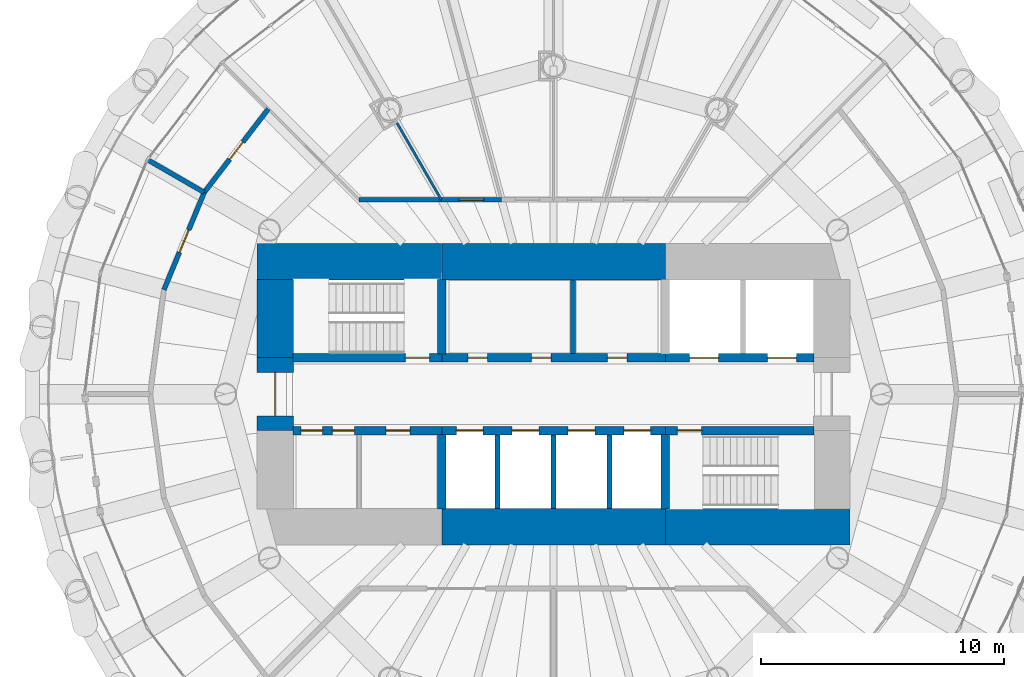
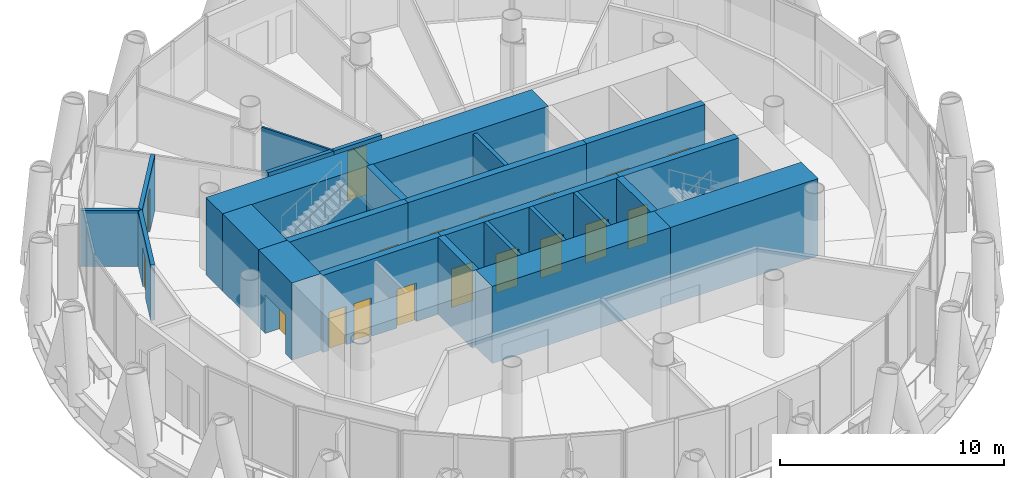
# One storey, part 10 of 15: 25 walls, 18 doors, 18 openings.
"""IFC4 building model written with IfcOpenShell, lengths in metres."""

from ifc_helpers import new_model, si_unit, direction, frame, frame_2d, origin, place, context, subcontext, project, spatial, rectangle, extrude, material, layer, layer_set, type_object, element, fill, save


model = new_model("IFC4")

# Units and contexts
model_context = context("Model", 3, precision=1e-05, world=origin(), true_north=direction((0.0, 1.0)))
body_context = subcontext(model_context, "Body", "Model", "MODEL_VIEW")
ifc_project = project(units=[si_unit("LENGTHUNIT", "METRE"), si_unit("AREAUNIT", "SQUARE_METRE"), si_unit("VOLUMEUNIT", "CUBIC_METRE"), si_unit("PLANEANGLEUNIT", "RADIAN"), si_unit("MASSUNIT", "GRAM", prefix="KILO")], contexts=[model_context])

# Site, building, storey
site_placement = place(None, origin())
site = spatial("IfcSite", under=ifc_project, at=site_placement, CompositionType="ELEMENT")
building_placement = place(site_placement, origin())
building = spatial("IfcBuilding", under=site, at=building_placement, Name="Qaws Media Tower", CompositionType="ELEMENT")
storey_placement = place(building_placement, frame((0.0, 0.0, 265.39990234375)))
storey = spatial("IfcBuildingStorey", under=building, at=storey_placement, Name="L61", CompositionType="ELEMENT", Elevation=265.39990234375)

# Wall, opening, door
ifc_material_1 = material(Name="Concrete C60/75", Category="concrete")
ifc_layer_1 = layer(ifc_material_1, 0.35009765625)
ifc_layer_set_1 = layer_set([ifc_layer_1], Name="Core inner wall 350")
wall_type_1 = type_object("IfcWallType", Name="Core inner wall 350", PredefinedType="SHEAR", material=ifc_layer_set_1)
wall_1_placement = place(storey_placement, frame((49.280029296875, 51.5, 0.0), z_axis=(0.0, 0.0, 1.0), x_axis=(1.0, 0.0, 0.0)))
wall_1 = element("IfcWall", 1, at=wall_1_placement, inside=storey, type_object=wall_type_1, Name="W301 SW5 core wall SPNW L61", PredefinedType="SHEAR", context=body_context, shape_type="SweptSolid", body=[
    extrude(rectangle(XDim=6.119873046875, YDim=0.35009765625, at=frame_2d((3.06005859375, 0.0))), origin(), (0.0, 0.0, 1.0), 4.2001953125),
])
opening_1_placement = place(wall_1_placement, frame((4.6201171875, 0.0, 0.0)))
opening_1 = element("IfcOpeningElement", 2, at=opening_1_placement, cuts=wall_1, Name="Opening D1", PredefinedType="OPENING", context=body_context, shape_type="SweptSolid", body=[
    extrude(rectangle(XDim=1.0, YDim=2.10009765625, at=frame_2d((0.5, 1.050048828125))), frame((0.0, 0.18505859375, 0.0), z_axis=(0.0, -1.0, 0.0), x_axis=(1.0, 0.0, 0.0)), (0.0, 0.0, 1.0), 0.3701171875),
])
ifc_material_2 = material(Name="Steel, fire rated", Category="steel")
door_type_1 = type_object("IfcDoorType", Name="Stair door 1000 FD120", OperationType="SINGLE_SWING_LEFT", PredefinedType="DOOR", material=ifc_material_2)
door_1_placement = place(opening_1_placement, origin())
door_1 = element("IfcDoor", 3, at=door_1_placement, inside=storey, type_object=door_type_1, Name="D1 stair S1 door L61 in wall W301", OperationType="SINGLE_SWING_LEFT", OverallHeight=2.10009765625, OverallWidth=1.0, PredefinedType="DOOR", context=body_context, shape_type="SweptSolid", body=[
    extrude(rectangle(XDim=1.0, YDim=2.10009765625, at=frame_2d((0.5, 1.050048828125))), frame((0.0, 0.02490234375, 0.0), z_axis=(0.0, -1.0, 0.0), x_axis=(1.0, 0.0, 0.0)), (0.0, 0.0, 1.0), 0.050048828125),
])
fill(opening_1, door_1)

# Wall, openings, doors
wall_2_placement = place(storey_placement, frame((55.39990234375, 51.5, 0.0), z_axis=(0.0, 0.0, 1.0), x_axis=(1.0, 0.0, 0.0)))
wall_2 = element("IfcWall", 4, at=wall_2_placement, inside=storey, type_object=wall_type_1, Name="W304 SW5 core wall SPN L61", PredefinedType="SHEAR", context=body_context, shape_type="SweptSolid", body=[
    extrude(rectangle(XDim=9.2001953125, YDim=0.35009765625, at=frame_2d((4.60009765625, 0.0))), origin(), (0.0, 0.0, 1.0), 4.2001953125),
])
opening_2_placement = place(wall_2_placement, frame((1.08251953125, 0.0, 0.0)))
opening_2 = element("IfcOpeningElement", 5, at=opening_2_placement, cuts=wall_2, Name="Opening D23", PredefinedType="OPENING", context=body_context, shape_type="SweptSolid", body=[
    extrude(rectangle(XDim=0.800048828125, YDim=2.10009765625, at=frame_2d((0.39990234375, 1.050048828125))), frame((0.0, 0.18505859375, 0.0), z_axis=(0.0, -1.0, 0.0), x_axis=(1.0, 0.0, 0.0)), (0.0, 0.0, 1.0), 0.3701171875),
])
opening_3_placement = place(wall_2_placement, frame((3.697265625, 0.0, 0.0)))
opening_3 = element("IfcOpeningElement", 6, at=opening_3_placement, cuts=wall_2, Name="Opening D23", PredefinedType="OPENING", context=body_context, shape_type="SweptSolid", body=[
    extrude(rectangle(XDim=0.800048828125, YDim=2.10009765625, at=frame_2d((0.39990234375, 1.050048828125))), frame((0.0, 0.18505859375, 0.0), z_axis=(0.0, -1.0, 0.0), x_axis=(1.0, 0.0, 0.0)), (0.0, 0.0, 1.0), 0.3701171875),
])
opening_4_placement = place(wall_2_placement, frame((6.814697265625, 0.0, 0.0)))
opening_4 = element("IfcOpeningElement", 7, at=opening_4_placement, cuts=wall_2, Name="Opening D23", PredefinedType="OPENING", context=body_context, shape_type="SweptSolid", body=[
    extrude(rectangle(XDim=0.800048828125, YDim=2.10009765625, at=frame_2d((0.39990234375, 1.050048828125))), frame((0.0, 0.18505859375, 0.0), z_axis=(0.0, -1.0, 0.0), x_axis=(1.0, 0.0, 0.0)), (0.0, 0.0, 1.0), 0.3701171875),
])
ifc_material_3 = material(Name="Steel, fire rated", Category="steel")
door_type_2 = type_object("IfcDoorType", Name="Core room door 800x2100", OperationType="SINGLE_SWING_LEFT", PredefinedType="DOOR", material=ifc_material_3)
door_2_placement = place(opening_2_placement, origin())
door_2 = element("IfcDoor", 8, at=door_2_placement, inside=storey, type_object=door_type_2, Name="D23 Gents toilets door L61 1 in wall W304", OperationType="SINGLE_SWING_LEFT", OverallHeight=2.10009765625, OverallWidth=0.800048828125, PredefinedType="DOOR", context=body_context, shape_type="SweptSolid", body=[
    extrude(rectangle(XDim=0.800048828125, YDim=2.10009765625, at=frame_2d((0.39990234375, 1.050048828125))), frame((0.0, 0.02490234375, 0.0), z_axis=(0.0, -1.0, 0.0), x_axis=(1.0, 0.0, 0.0)), (0.0, 0.0, 1.0), 0.050048828125),
])
fill(opening_2, door_2)
door_3_placement = place(opening_3_placement, origin())
door_3 = element("IfcDoor", 9, at=door_3_placement, inside=storey, type_object=door_type_2, Name="D23 Gents toilets door L61 2 in wall W304", OperationType="SINGLE_SWING_LEFT", OverallHeight=2.10009765625, OverallWidth=0.800048828125, PredefinedType="DOOR", context=body_context, shape_type="SweptSolid", body=[
    extrude(rectangle(XDim=0.800048828125, YDim=2.10009765625, at=frame_2d((0.39990234375, 1.050048828125))), frame((0.0, 0.02490234375, 0.0), z_axis=(0.0, -1.0, 0.0), x_axis=(1.0, 0.0, 0.0)), (0.0, 0.0, 1.0), 0.050048828125),
])
fill(opening_3, door_3)
door_4_placement = place(opening_4_placement, origin())
door_4 = element("IfcDoor", 10, at=door_4_placement, inside=storey, type_object=door_type_2, Name="D23 Ladies toilets door L61 in wall W304", OperationType="SINGLE_SWING_LEFT", OverallHeight=2.10009765625, OverallWidth=0.800048828125, PredefinedType="DOOR", context=body_context, shape_type="SweptSolid", body=[
    extrude(rectangle(XDim=0.800048828125, YDim=2.10009765625, at=frame_2d((0.39990234375, 1.050048828125))), frame((0.0, 0.02490234375, 0.0), z_axis=(0.0, -1.0, 0.0), x_axis=(1.0, 0.0, 0.0)), (0.0, 0.0, 1.0), 0.050048828125),
])
fill(opening_4, door_4)

wall_3_placement = place(storey_placement, frame((64.60009765625, 51.5, 0.0), z_axis=(0.0, 0.0, 1.0), x_axis=(1.0, 0.0, 0.0)))
wall_3 = element("IfcWall", 11, at=wall_3_placement, inside=storey, type_object=wall_type_1, Name="W308 SW5 core wall SPNE L61", PredefinedType="SHEAR", context=body_context, shape_type="SweptSolid", body=[
    extrude(rectangle(XDim=6.119873046875, YDim=0.35009765625, at=frame_2d((3.06005859375, 0.0))), origin(), (0.0, 0.0, 1.0), 4.2001953125),
])
opening_5_placement = place(wall_3_placement, frame((1.0, 0.0, 0.0)))
opening_5 = element("IfcOpeningElement", 12, at=opening_5_placement, cuts=wall_3, Name="Opening LD2", PredefinedType="OPENING", context=body_context, shape_type="SweptSolid", body=[
    extrude(rectangle(XDim=1.199951171875, YDim=2.10009765625, at=frame_2d((0.60009765625, 1.050048828125))), frame((0.0, 0.18505859375, 0.0), z_axis=(0.0, -1.0, 0.0), x_axis=(1.0, 0.0, 0.0)), (0.0, 0.0, 1.0), 0.3701171875),
])
opening_6_placement = place(wall_3_placement, frame((4.199951171875, 0.0, 0.0)))
opening_6 = element("IfcOpeningElement", 13, at=opening_6_placement, cuts=wall_3, Name="Opening LD2", PredefinedType="OPENING", context=body_context, shape_type="SweptSolid", body=[
    extrude(rectangle(XDim=1.199951171875, YDim=2.10009765625, at=frame_2d((0.60009765625, 1.050048828125))), frame((0.0, 0.18505859375, 0.0), z_axis=(0.0, -1.0, 0.0), x_axis=(1.0, 0.0, 0.0)), (0.0, 0.0, 1.0), 0.3701171875),
])
ifc_material_4 = material(Name="Steel, fire rated", Category="steel")
door_type_3 = type_object("IfcDoorType", Name="Lift landing door 1200", OperationType="SLIDING_TO_LEFT", PredefinedType="DOOR", material=ifc_material_4)
door_5_placement = place(opening_5_placement, origin())
door_5 = element("IfcDoor", 14, at=door_5_placement, inside=storey, type_object=door_type_3, Name="FL1 landing door L61 in wall W308", OperationType="SLIDING_TO_LEFT", OverallHeight=2.10009765625, OverallWidth=1.199951171875, PredefinedType="DOOR", context=body_context, shape_type="SweptSolid", body=[
    extrude(rectangle(XDim=1.199951171875, YDim=2.10009765625, at=frame_2d((0.60009765625, 1.050048828125))), frame((0.0, 0.02490234375, 0.0), z_axis=(0.0, -1.0, 0.0), x_axis=(1.0, 0.0, 0.0)), (0.0, 0.0, 1.0), 0.050048828125),
])
fill(opening_5, door_5)
door_6_placement = place(opening_6_placement, origin())
door_6 = element("IfcDoor", 15, at=door_6_placement, inside=storey, type_object=door_type_3, Name="FL2 landing door L61 in wall W308", OperationType="SLIDING_TO_LEFT", OverallHeight=2.10009765625, OverallWidth=1.199951171875, PredefinedType="DOOR", context=body_context, shape_type="SweptSolid", body=[
    extrude(rectangle(XDim=1.199951171875, YDim=2.10009765625, at=frame_2d((0.60009765625, 1.050048828125))), frame((0.0, 0.02490234375, 0.0), z_axis=(0.0, -1.0, 0.0), x_axis=(1.0, 0.0, 0.0)), (0.0, 0.0, 1.0), 0.050048828125),
])
fill(opening_6, door_6)

wall_4_placement = place(storey_placement, frame((49.280029296875, 48.5, 0.0), z_axis=(0.0, 0.0, 1.0), x_axis=(1.0, 0.0, 0.0)))
wall_4 = element("IfcWall", 16, at=wall_4_placement, inside=storey, type_object=wall_type_1, Name="W300 SW5 core wall SPSW L61", PredefinedType="SHEAR", context=body_context, shape_type="SweptSolid", body=[
    extrude(rectangle(XDim=6.119873046875, YDim=0.35009765625, at=frame_2d((3.06005859375, 0.0))), origin(), (0.0, 0.0, 1.0), 4.2001953125),
])
opening_7_placement = place(wall_4_placement, frame((0.320068359375, 0.0, 0.0)))
opening_7 = element("IfcOpeningElement", 17, at=opening_7_placement, cuts=wall_4, Name="Opening D3", PredefinedType="OPENING", context=body_context, shape_type="SweptSolid", body=[
    extrude(rectangle(XDim=0.89990234375, YDim=2.10009765625, at=frame_2d((0.449951171875, 1.050048828125))), frame((0.0, 0.18505859375, 0.0), z_axis=(0.0, -1.0, 0.0), x_axis=(1.0, 0.0, 0.0)), (0.0, 0.0, 1.0), 0.3701171875),
])
opening_8_placement = place(wall_4_placement, frame((1.6201171875, 0.0, 0.0)))
opening_8 = element("IfcOpeningElement", 18, at=opening_8_placement, cuts=wall_4, Name="Opening D3", PredefinedType="OPENING", context=body_context, shape_type="SweptSolid", body=[
    extrude(rectangle(XDim=0.89990234375, YDim=2.10009765625, at=frame_2d((0.449951171875, 1.050048828125))), frame((0.0, 0.18505859375, 0.0), z_axis=(0.0, -1.0, 0.0), x_axis=(1.0, 0.0, 0.0)), (0.0, 0.0, 1.0), 0.3701171875),
])
opening_9_placement = place(wall_4_placement, frame((3.820068359375, 0.0, 0.0)))
opening_9 = element("IfcOpeningElement", 19, at=opening_9_placement, cuts=wall_4, Name="Opening D4", PredefinedType="OPENING", context=body_context, shape_type="SweptSolid", body=[
    extrude(rectangle(XDim=1.0, YDim=2.10009765625, at=frame_2d((0.5, 1.050048828125))), frame((0.0, 0.18505859375, 0.0), z_axis=(0.0, -1.0, 0.0), x_axis=(1.0, 0.0, 0.0)), (0.0, 0.0, 1.0), 0.3701171875),
])
ifc_material_5 = material(Name="Timber veneered", Category="wood")
door_type_4 = type_object("IfcDoorType", Name="Accessible WC door 1000", OperationType="SLIDING_TO_LEFT", PredefinedType="DOOR", material=ifc_material_5)
door_7_placement = place(opening_9_placement, origin())
door_7 = element("IfcDoor", 20, at=door_7_placement, inside=storey, type_object=door_type_4, Name="D4 toilet door 3 L61 in wall W300", OperationType="SLIDING_TO_LEFT", OverallHeight=2.10009765625, OverallWidth=1.0, PredefinedType="DOOR", context=body_context, shape_type="SweptSolid", body=[
    extrude(rectangle(XDim=1.0, YDim=2.10009765625, at=frame_2d((0.5, 1.050048828125))), frame((0.0, 0.02490234375, 0.0), z_axis=(0.0, -1.0, 0.0), x_axis=(1.0, 0.0, 0.0)), (0.0, 0.0, 1.0), 0.050048828125),
])
fill(opening_9, door_7)
ifc_material_6 = material(Name="Timber veneered", Category="wood")
door_type_5 = type_object("IfcDoorType", Name="Toilet door 900", OperationType="SINGLE_SWING_RIGHT", PredefinedType="DOOR", material=ifc_material_6)
door_8_placement = place(opening_7_placement, origin())
door_8 = element("IfcDoor", 21, at=door_8_placement, inside=storey, type_object=door_type_5, Name="D3 toilet door 1 L61 in wall W300", OperationType="SINGLE_SWING_RIGHT", OverallHeight=2.10009765625, OverallWidth=0.89990234375, PredefinedType="DOOR", context=body_context, shape_type="SweptSolid", body=[
    extrude(rectangle(XDim=0.89990234375, YDim=2.10009765625, at=frame_2d((0.449951171875, 1.050048828125))), frame((0.0, 0.02490234375, 0.0), z_axis=(0.0, -1.0, 0.0), x_axis=(1.0, 0.0, 0.0)), (0.0, 0.0, 1.0), 0.050048828125),
])
fill(opening_7, door_8)
door_9_placement = place(opening_8_placement, origin())
door_9 = element("IfcDoor", 22, at=door_9_placement, inside=storey, type_object=door_type_5, Name="D3 toilet door 2 L61 in wall W300", OperationType="SINGLE_SWING_RIGHT", OverallHeight=2.10009765625, OverallWidth=0.89990234375, PredefinedType="DOOR", context=body_context, shape_type="SweptSolid", body=[
    extrude(rectangle(XDim=0.89990234375, YDim=2.10009765625, at=frame_2d((0.449951171875, 1.050048828125))), frame((0.0, 0.02490234375, 0.0), z_axis=(0.0, -1.0, 0.0), x_axis=(1.0, 0.0, 0.0)), (0.0, 0.0, 1.0), 0.050048828125),
])
fill(opening_8, door_9)

wall_5_placement = place(storey_placement, frame((55.39990234375, 48.5, 0.0), z_axis=(0.0, 0.0, 1.0), x_axis=(1.0, 0.0, 0.0)))
wall_5 = element("IfcWall", 23, at=wall_5_placement, inside=storey, type_object=wall_type_1, Name="W303 SW5 core wall SPS L61", PredefinedType="SHEAR", context=body_context, shape_type="SweptSolid", body=[
    extrude(rectangle(XDim=9.2001953125, YDim=0.35009765625, at=frame_2d((4.60009765625, 0.0))), origin(), (0.0, 0.0, 1.0), 4.2001953125),
])
opening_10_placement = place(wall_5_placement, frame((0.60009765625, 0.0, 0.0)))
opening_10 = element("IfcOpeningElement", 24, at=opening_10_placement, cuts=wall_5, Name="Opening LD", PredefinedType="OPENING", context=body_context, shape_type="SweptSolid", body=[
    extrude(rectangle(XDim=1.10009765625, YDim=2.10009765625, at=frame_2d((0.550048828125, 1.050048828125))), frame((0.0, 0.18505859375, 0.0), z_axis=(0.0, -1.0, 0.0), x_axis=(1.0, 0.0, 0.0)), (0.0, 0.0, 1.0), 0.3701171875),
])
opening_11_placement = place(wall_5_placement, frame((2.89990234375, 0.0, 0.0)))
opening_11 = element("IfcOpeningElement", 25, at=opening_11_placement, cuts=wall_5, Name="Opening LD", PredefinedType="OPENING", context=body_context, shape_type="SweptSolid", body=[
    extrude(rectangle(XDim=1.10009765625, YDim=2.10009765625, at=frame_2d((0.550048828125, 1.050048828125))), frame((0.0, 0.18505859375, 0.0), z_axis=(0.0, -1.0, 0.0), x_axis=(1.0, 0.0, 0.0)), (0.0, 0.0, 1.0), 0.3701171875),
])
opening_12_placement = place(wall_5_placement, frame((5.199951171875, 0.0, 0.0)))
opening_12 = element("IfcOpeningElement", 26, at=opening_12_placement, cuts=wall_5, Name="Opening LD", PredefinedType="OPENING", context=body_context, shape_type="SweptSolid", body=[
    extrude(rectangle(XDim=1.10009765625, YDim=2.10009765625, at=frame_2d((0.550048828125, 1.050048828125))), frame((0.0, 0.18505859375, 0.0), z_axis=(0.0, -1.0, 0.0), x_axis=(1.0, 0.0, 0.0)), (0.0, 0.0, 1.0), 0.3701171875),
])
opening_13_placement = place(wall_5_placement, frame((7.5, 0.0, 0.0)))
opening_13 = element("IfcOpeningElement", 27, at=opening_13_placement, cuts=wall_5, Name="Opening LD", PredefinedType="OPENING", context=body_context, shape_type="SweptSolid", body=[
    extrude(rectangle(XDim=1.10009765625, YDim=2.10009765625, at=frame_2d((0.550048828125, 1.050048828125))), frame((0.0, 0.18505859375, 0.0), z_axis=(0.0, -1.0, 0.0), x_axis=(1.0, 0.0, 0.0)), (0.0, 0.0, 1.0), 0.3701171875),
])
ifc_material_7 = material(Name="Steel, fire rated", Category="steel")
door_type_6 = type_object("IfcDoorType", Name="Lift landing door 1100", OperationType="SLIDING_TO_LEFT", PredefinedType="DOOR", material=ifc_material_7)
door_10_placement = place(opening_10_placement, origin())
door_10 = element("IfcDoor", 28, at=door_10_placement, inside=storey, type_object=door_type_6, Name="P5 landing door L61 in wall W303", OperationType="SLIDING_TO_LEFT", OverallHeight=2.10009765625, OverallWidth=1.10009765625, PredefinedType="DOOR", context=body_context, shape_type="SweptSolid", body=[
    extrude(rectangle(XDim=1.10009765625, YDim=2.10009765625, at=frame_2d((0.550048828125, 1.050048828125))), frame((0.0, 0.02490234375, 0.0), z_axis=(0.0, -1.0, 0.0), x_axis=(1.0, 0.0, 0.0)), (0.0, 0.0, 1.0), 0.050048828125),
])
fill(opening_10, door_10)
door_11_placement = place(opening_11_placement, origin())
door_11 = element("IfcDoor", 29, at=door_11_placement, inside=storey, type_object=door_type_6, Name="P6 landing door L61 in wall W303", OperationType="SLIDING_TO_LEFT", OverallHeight=2.10009765625, OverallWidth=1.10009765625, PredefinedType="DOOR", context=body_context, shape_type="SweptSolid", body=[
    extrude(rectangle(XDim=1.10009765625, YDim=2.10009765625, at=frame_2d((0.550048828125, 1.050048828125))), frame((0.0, 0.02490234375, 0.0), z_axis=(0.0, -1.0, 0.0), x_axis=(1.0, 0.0, 0.0)), (0.0, 0.0, 1.0), 0.050048828125),
])
fill(opening_11, door_11)
door_12_placement = place(opening_12_placement, origin())
door_12 = element("IfcDoor", 30, at=door_12_placement, inside=storey, type_object=door_type_6, Name="P7 landing door L61 in wall W303", OperationType="SLIDING_TO_LEFT", OverallHeight=2.10009765625, OverallWidth=1.10009765625, PredefinedType="DOOR", context=body_context, shape_type="SweptSolid", body=[
    extrude(rectangle(XDim=1.10009765625, YDim=2.10009765625, at=frame_2d((0.550048828125, 1.050048828125))), frame((0.0, 0.02490234375, 0.0), z_axis=(0.0, -1.0, 0.0), x_axis=(1.0, 0.0, 0.0)), (0.0, 0.0, 1.0), 0.050048828125),
])
fill(opening_12, door_12)
door_13_placement = place(opening_13_placement, origin())
door_13 = element("IfcDoor", 31, at=door_13_placement, inside=storey, type_object=door_type_6, Name="P8 landing door L61 in wall W303", OperationType="SLIDING_TO_LEFT", OverallHeight=2.10009765625, OverallWidth=1.10009765625, PredefinedType="DOOR", context=body_context, shape_type="SweptSolid", body=[
    extrude(rectangle(XDim=1.10009765625, YDim=2.10009765625, at=frame_2d((0.550048828125, 1.050048828125))), frame((0.0, 0.02490234375, 0.0), z_axis=(0.0, -1.0, 0.0), x_axis=(1.0, 0.0, 0.0)), (0.0, 0.0, 1.0), 0.050048828125),
])
fill(opening_13, door_13)

# Wall, opening, door
wall_6_placement = place(storey_placement, frame((64.60009765625, 48.5, 0.0), z_axis=(0.0, 0.0, 1.0), x_axis=(1.0, 0.0, 0.0)))
wall_6 = element("IfcWall", 32, at=wall_6_placement, inside=storey, type_object=wall_type_1, Name="W307 SW5 core wall SPSE L61", PredefinedType="SHEAR", context=body_context, shape_type="SweptSolid", body=[
    extrude(rectangle(XDim=6.119873046875, YDim=0.35009765625, at=frame_2d((3.06005859375, 0.0))), origin(), (0.0, 0.0, 1.0), 4.2001953125),
])
opening_14_placement = place(wall_6_placement, frame((0.5, 0.0, 0.0)))
opening_14 = element("IfcOpeningElement", 33, at=opening_14_placement, cuts=wall_6, Name="Opening D1", PredefinedType="OPENING", context=body_context, shape_type="SweptSolid", body=[
    extrude(rectangle(XDim=1.0, YDim=2.10009765625, at=frame_2d((0.5, 1.050048828125))), frame((0.0, 0.18505859375, 0.0), z_axis=(0.0, -1.0, 0.0), x_axis=(1.0, 0.0, 0.0)), (0.0, 0.0, 1.0), 0.3701171875),
])
door_14_placement = place(opening_14_placement, origin())
door_14 = element("IfcDoor", 34, at=door_14_placement, inside=storey, type_object=door_type_1, Name="D1 stair S2 door L61 in wall W307", OperationType="SINGLE_SWING_LEFT", OverallHeight=2.10009765625, OverallWidth=1.0, PredefinedType="DOOR", context=body_context, shape_type="SweptSolid", body=[
    extrude(rectangle(XDim=1.0, YDim=2.10009765625, at=frame_2d((0.5, 1.050048828125))), frame((0.0, 0.02490234375, 0.0), z_axis=(0.0, -1.0, 0.0), x_axis=(1.0, 0.0, 0.0)), (0.0, 0.0, 1.0), 0.050048828125),
])
fill(opening_14, door_14)

# Walls
for number, where, z_axis, x_axis, name in (
    (35, (55.39990234375, 51.655029296875, 0.0), (0.0, 0.0, 1.0), (0.0, 1.0, 0.0), "W305 SW5 core wall XNW L61"),
    (36, (55.39990234375, 48.344970703125, 0.0), (0.0, 0.0, 1.0), (0.0, -1.0, 0.0), "W302 SW5 core wall XSW L61"),
    (37, (64.60009765625, 48.344970703125, 0.0), (0.0, 0.0, 1.0), (0.0, -1.0, 0.0), "W306 SW5 core wall XSE L61"),
):
    element("IfcWall", number, at=place(storey_placement, frame(where, z_axis=z_axis, x_axis=x_axis)), inside=storey, type_object=wall_type_1, Name=name, PredefinedType="SHEAR", context=body_context, shape_type="SweptSolid", body=[
        extrude(rectangle(XDim=3.06494140625, YDim=0.35009765625, at=frame_2d((1.532470703125, 0.0))), origin(), (0.0, 0.0, 1.0), 4.2001953125),
    ])
ifc_material_8 = material(Name="Concrete C60/75", Category="concrete")
ifc_layer_2 = layer(ifc_material_8, 1.5)
ifc_layer_set_2 = layer_set([ifc_layer_2], Name="Core wall 1500")
wall_type_2 = type_object("IfcWallType", Name="Core wall 1500", PredefinedType="SHEAR", material=ifc_layer_set_2)
wall_7_placement = place(storey_placement, frame((47.800048828125, 55.449951171875, 0.0), z_axis=(0.0, 0.0, 1.0), x_axis=(1.0, 0.0, 0.0)))
element("IfcWall", 38, at=wall_7_placement, inside=storey, type_object=wall_type_2, Name="W377 SW13 core wall NW L61", PredefinedType="SHEAR", context=body_context, shape_type="SweptSolid", body=[
    extrude(rectangle(XDim=7.599853515625, YDim=1.5, at=frame_2d((3.7998046875, 0.0))), origin(), (0.0, 0.0, 1.0), 4.2001953125),
])
for number, where, z_axis, x_axis, name in (
    (39, (55.39990234375, 55.449951171875, 0.0), (0.0, 0.0, 1.0), (1.0, 0.0, 0.0), "W373 SW13 core wall N L61"),
    (40, (55.39990234375, 44.550048828125, 0.0), (0.0, 0.0, 1.0), (1.0, 0.0, 0.0), "W372 SW13 core wall S L61"),
):
    element("IfcWall", number, at=place(storey_placement, frame(where, z_axis=z_axis, x_axis=x_axis)), inside=storey, type_object=wall_type_2, Name=name, PredefinedType="SHEAR", context=body_context, shape_type="SweptSolid", body=[
        extrude(rectangle(XDim=9.2001953125, YDim=1.5, at=frame_2d((4.60009765625, 0.0))), origin(), (0.0, 0.0, 1.0), 4.2001953125),
    ])
wall_8_placement = place(storey_placement, frame((64.60009765625, 44.550048828125, 0.0), z_axis=(0.0, 0.0, 1.0), x_axis=(1.0, 0.0, 0.0)))
element("IfcWall", 41, at=wall_8_placement, inside=storey, type_object=wall_type_2, Name="W381 SW13 core wall SE L61", PredefinedType="SHEAR", context=body_context, shape_type="SweptSolid", body=[
    extrude(rectangle(XDim=7.599853515625, YDim=1.5, at=frame_2d((3.7998046875, 0.0))), origin(), (0.0, 0.0, 1.0), 4.2001953125),
])

# Wall, opening, door
wall_9_placement = place(storey_placement, frame((48.550048828125, 48.5, 0.0), z_axis=(0.0, 0.0, 1.0), x_axis=(0.0, 1.0, 0.0)))
wall_9 = element("IfcWall", 42, at=wall_9_placement, inside=storey, type_object=wall_type_2, Name="W379 SW13 core wall W L61", PredefinedType="SHEAR", context=body_context, shape_type="SweptSolid", body=[
    extrude(rectangle(XDim=3.0, YDim=1.5, at=frame_2d((1.5, 0.0))), origin(), (0.0, 0.0, 1.0), 4.2001953125),
])
opening_15_placement = place(wall_9_placement, frame((0.60009765625, 0.0, 0.0)))
opening_15 = element("IfcOpeningElement", 43, at=opening_15_placement, cuts=wall_9, Name="Opening D2", PredefinedType="OPENING", context=body_context, shape_type="SweptSolid", body=[
    extrude(rectangle(XDim=1.800048828125, YDim=2.10009765625, at=frame_2d((0.89990234375, 1.050048828125))), frame((0.0, 0.760009765625, 0.0), z_axis=(0.0, -1.0, 0.0), x_axis=(1.0, 0.0, 0.0)), (0.0, 0.0, 1.0), 1.52001953125),
])
ifc_material_9 = material(Name="Steel and glass, fire rated", Category="steel")
door_type_7 = type_object("IfcDoorType", Name="Lobby door pair 1800 FD60", OperationType="DOUBLE_DOOR_DOUBLE_SWING", PredefinedType="DOOR", material=ifc_material_9)
door_15_placement = place(opening_15_placement, origin())
door_15 = element("IfcDoor", 44, at=door_15_placement, inside=storey, type_object=door_type_7, Name="D2 core lobby door W L61 in wall W379", OperationType="DOUBLE_DOOR_DOUBLE_SWING", OverallHeight=2.10009765625, OverallWidth=1.800048828125, PredefinedType="DOOR", context=body_context, shape_type="SweptSolid", body=[
    extrude(rectangle(XDim=1.800048828125, YDim=2.10009765625, at=frame_2d((0.89990234375, 1.050048828125))), frame((0.0, 0.02490234375, 0.0), z_axis=(0.0, -1.0, 0.0), x_axis=(1.0, 0.0, 0.0)), (0.0, 0.0, 1.0), 0.050048828125),
])
fill(opening_15, door_15)

# Walls
wall_10_placement = place(storey_placement, frame((48.550048828125, 51.5, 0.0), z_axis=(0.0, 0.0, 1.0), x_axis=(0.0, 1.0, 0.0)))
element("IfcWall", 45, at=wall_10_placement, inside=storey, type_object=wall_type_2, Name="W380 SW13 core wall WN L61", PredefinedType="SHEAR", context=body_context, shape_type="SweptSolid", body=[
    extrude(rectangle(XDim=3.219970703125, YDim=1.5, at=frame_2d((1.60986328125, 0.0))), origin(), (0.0, 0.0, 1.0), 4.2001953125),
])
ifc_material_10 = material(Name="Gypsum board on 70 metal studs, single layer each side", Category="gypsum")
ifc_layer_3 = layer(ifc_material_10, 0.10009765625)
ifc_layer_set_3 = layer_set([ifc_layer_3], Name="Office stud partition 100")
wall_type_3 = type_object("IfcWallType", Name="Office stud partition 100", PredefinedType="PARTITIONING", material=ifc_layer_set_3)
wall_11_placement = place(storey_placement, frame((55.3798828125, 58.002197265625, 0.0), z_axis=(0.0, 0.0, 1.0), x_axis=(-0.499973852758, 0.866040499375, 0.0)))
element("IfcWall", 46, at=wall_11_placement, inside=storey, type_object=wall_type_3, Name="W700 IW4 partition L61", PredefinedType="PARTITIONING", context=body_context, shape_type="SweptSolid", body=[
    extrude(rectangle(XDim=3.642822265625, YDim=0.10009765625, at=frame_2d((1.8212890625, 0.0))), origin(), (0.0, 0.0, 1.0), 3.0400390625),
])

# Wall, opening, door
ifc_material_11 = material(Name="Gypsum board on galvanised metal studs, acoustic double stud, deflection head", Category="gypsum")
ifc_layer_4 = layer(ifc_material_11, 0.199951171875)
ifc_layer_set_4 = layer_set([ifc_layer_4], Name="Room partition 200")
wall_type_4 = type_object("IfcWallType", Name="Room partition 200", PredefinedType="PARTITIONING", material=ifc_layer_set_4)
wall_12_placement = place(storey_placement, frame((43.965576171875, 54.29638671875, 0.0), z_axis=(0.0, 0.0, 1.0), x_axis=(0.382698425325, 0.923873322082, 0.0)))
wall_12 = element("IfcWall", 47, at=wall_12_placement, inside=storey, type_object=wall_type_4, Name="W1739 IW3 partition L61", PredefinedType="PARTITIONING", context=body_context, shape_type="SweptSolid", body=[
    extrude(rectangle(XDim=4.33349609375, YDim=0.199951171875, at=frame_2d((2.166748046875, 0.0))), origin(), (0.0, 0.0, 1.0), 3.02001953125),
])
opening_16_placement = place(wall_12_placement, frame((1.666748046875, 0.0, 0.0)))
opening_16 = element("IfcOpeningElement", 48, at=opening_16_placement, cuts=wall_12, Name="Opening D5", PredefinedType="OPENING", context=body_context, shape_type="SweptSolid", body=[
    extrude(rectangle(XDim=1.0, YDim=2.10009765625, at=frame_2d((0.5, 1.050048828125))), frame((0.0, 0.10986328125, 0.0), z_axis=(0.0, -1.0, 0.0), x_axis=(1.0, 0.0, 0.0)), (0.0, 0.0, 1.0), 0.219970703125),
])
ifc_material_12 = material(Name="Timber veneered, acoustic seal", Category="wood")
door_type_8 = type_object("IfcDoorType", Name="Room door 1000", OperationType="SINGLE_SWING_LEFT", PredefinedType="DOOR", material=ifc_material_12)
door_16_placement = place(opening_16_placement, origin())
door_16 = element("IfcDoor", 49, at=door_16_placement, inside=storey, type_object=door_type_8, Name="D5 Executive meeting room door L61 in wall W1739", OperationType="SINGLE_SWING_LEFT", OverallHeight=2.10009765625, OverallWidth=1.0, PredefinedType="DOOR", context=body_context, shape_type="SweptSolid", body=[
    extrude(rectangle(XDim=1.0, YDim=2.10009765625, at=frame_2d((0.5, 1.050048828125))), frame((0.0, 0.02490234375, 0.0), z_axis=(0.0, -1.0, 0.0), x_axis=(1.0, 0.0, 0.0)), (0.0, 0.0, 1.0), 0.050048828125),
])
fill(opening_16, door_16)

wall_13_placement = place(storey_placement, frame((45.6240234375, 58.300048828125, 0.0), z_axis=(0.0, 0.0, 1.0), x_axis=(0.60874374674, 0.79336690806, 0.0)))
wall_13 = element("IfcWall", 50, at=wall_13_placement, inside=storey, type_object=wall_type_4, Name="W1742 IW3 partition L61", PredefinedType="PARTITIONING", context=body_context, shape_type="SweptSolid", body=[
    extrude(rectangle(XDim=4.33349609375, YDim=0.199951171875, at=frame_2d((2.166748046875, 0.0))), origin(), (0.0, 0.0, 1.0), 3.02001953125),
])
opening_17_placement = place(wall_13_placement, frame((1.716796875, 0.0, 0.0)))
opening_17 = element("IfcOpeningElement", 51, at=opening_17_placement, cuts=wall_13, Name="Opening D12", PredefinedType="OPENING", context=body_context, shape_type="SweptSolid", body=[
    extrude(rectangle(XDim=0.89990234375, YDim=2.39990234375, at=frame_2d((0.449951171875, 1.199951171875))), frame((0.0, 0.10986328125, 0.0), z_axis=(0.0, -1.0, 0.0), x_axis=(1.0, 0.0, 0.0)), (0.0, 0.0, 1.0), 0.219970703125),
])
ifc_material_13 = material(Name="Timber veneered, full height", Category="wood")
door_type_9 = type_object("IfcDoorType", Name="Office door 900x2400", OperationType="SINGLE_SWING_LEFT", PredefinedType="DOOR", material=ifc_material_13)
door_17_placement = place(opening_17_placement, origin())
door_17 = element("IfcDoor", 52, at=door_17_placement, inside=storey, type_object=door_type_9, Name="D12 Focus room door L61 in wall W1742", OperationType="SINGLE_SWING_LEFT", OverallHeight=2.39990234375, OverallWidth=0.89990234375, PredefinedType="DOOR", context=body_context, shape_type="SweptSolid", body=[
    extrude(rectangle(XDim=0.89990234375, YDim=2.39990234375, at=frame_2d((0.449951171875, 1.199951171875))), frame((0.0, 0.02490234375, 0.0), z_axis=(0.0, -1.0, 0.0), x_axis=(1.0, 0.0, 0.0)), (0.0, 0.0, 1.0), 0.050048828125),
])
fill(opening_17, door_17)

# Wall
wall_14_placement = place(storey_placement, frame((52.0, 58.0, 0.0), z_axis=(0.0, 0.0, 1.0), x_axis=(1.0, 0.0, 0.0)))
element("IfcWall", 53, at=wall_14_placement, inside=storey, type_object=wall_type_4, Name="W1717 IW3 partition L61", PredefinedType="PARTITIONING", context=body_context, shape_type="SweptSolid", body=[
    extrude(rectangle(XDim=3.381103515625, YDim=0.199951171875, at=frame_2d((1.6904296875, 0.0))), origin(), (0.0, 0.0, 1.0), 3.0400390625),
])

# Wall, opening, door
wall_15_placement = place(storey_placement, frame((55.381103515625, 58.0, 0.0), z_axis=(0.0, 0.0, 1.0), x_axis=(1.0, 0.0, 0.0)))
wall_15 = element("IfcWall", 54, at=wall_15_placement, inside=storey, type_object=wall_type_4, Name="W1718 IW3 partition L61", PredefinedType="PARTITIONING", context=body_context, shape_type="SweptSolid", body=[
    extrude(rectangle(XDim=2.475341796875, YDim=0.199951171875, at=frame_2d((1.23779296875, 0.0))), origin(), (0.0, 0.0, 1.0), 3.0400390625),
])
opening_18_placement = place(wall_15_placement, frame((0.737548828125, 0.0, 0.0)))
opening_18 = element("IfcOpeningElement", 55, at=opening_18_placement, cuts=wall_15, Name="Opening D21", PredefinedType="OPENING", context=body_context, shape_type="SweptSolid", body=[
    extrude(rectangle(XDim=1.0, YDim=2.699951171875, at=frame_2d((0.5, 1.35009765625))), frame((0.0, 0.10986328125, 0.0), z_axis=(0.0, -1.0, 0.0), x_axis=(1.0, 0.0, 0.0)), (0.0, 0.0, 1.0), 0.219970703125),
])
ifc_material_14 = material(Name="Timber veneered, full height, acoustic seals", Category="wood")
door_type_10 = type_object("IfcDoorType", Name="Executive door 1000x2700", OperationType="SINGLE_SWING_LEFT", PredefinedType="DOOR", material=ifc_material_14)
door_18_placement = place(opening_18_placement, origin())
door_18 = element("IfcDoor", 56, at=door_18_placement, inside=storey, type_object=door_type_10, Name="D21 Executive office door L61 in wall W1718", OperationType="SINGLE_SWING_LEFT", OverallHeight=2.699951171875, OverallWidth=1.0, PredefinedType="DOOR", context=body_context, shape_type="SweptSolid", body=[
    extrude(rectangle(XDim=1.0, YDim=2.699951171875, at=frame_2d((0.5, 1.35009765625))), frame((0.0, 0.02490234375, 0.0), z_axis=(0.0, -1.0, 0.0), x_axis=(1.0, 0.0, 0.0)), (0.0, 0.0, 1.0), 0.050048828125),
])
fill(opening_18, door_18)

# Walls
wall_16_placement = place(storey_placement, frame((45.6240234375, 58.300048828125, 0.0), z_axis=(0.0, 0.0, 1.0), x_axis=(-0.866060261871, 0.499939619162, 0.0)))
element("IfcWall", 57, at=wall_16_placement, inside=storey, type_object=wall_type_4, Name="W1741 IW3 partition L61", PredefinedType="PARTITIONING", context=body_context, shape_type="SweptSolid", body=[
    extrude(rectangle(XDim=2.659912109375, YDim=0.199951171875, at=frame_2d((1.330078125, 0.0))), origin(), (0.0, 0.0, 1.0), 3.0400390625),
])
wall_17_placement = place(storey_placement, frame((60.804443359375, 51.675048828125, 0.0), z_axis=(0.0, 0.0, 1.0), x_axis=(0.0, 1.0, 0.0)))
element("IfcWall", 58, at=wall_17_placement, inside=storey, type_object=wall_type_4, Name="W1724 IW3 core room partition 1 L61", PredefinedType="PARTITIONING", context=body_context, shape_type="SweptSolid", body=[
    extrude(rectangle(XDim=3.02490234375, YDim=0.199951171875, at=frame_2d((1.512451171875, 0.0))), origin(), (0.0, 0.0, 1.0), 4.0400390625),
])
ifc_material_15 = material(Name="Fire-rated gypsum board shaft wall on galvanised metal studs, deflection head", Category="gypsum")
ifc_layer_5 = layer(ifc_material_15, 0.199951171875)
ifc_layer_set_5 = layer_set([ifc_layer_5], Name="Shaft wall 200")
wall_type_5 = type_object("IfcWallType", Name="Shaft wall 200", PredefinedType="PARTITIONING", material=ifc_layer_set_5)
for number, where, z_axis, x_axis, name in (
    (59, (57.699951171875, 45.300048828125, 0.0), (0.0, 0.0, 1.0), (0.0, 1.0, 0.0), "W1871 IW1 shaft wall S1 L61"),
    (60, (60.0, 45.300048828125, 0.0), (0.0, 0.0, 1.0), (0.0, 1.0, 0.0), "W1872 IW1 shaft wall S2 L61"),
    (61, (62.300048828125, 45.300048828125, 0.0), (0.0, 0.0, 1.0), (0.0, 1.0, 0.0), "W1873 IW1 shaft wall S3 L61"),
):
    element("IfcWall", number, at=place(storey_placement, frame(where, z_axis=z_axis, x_axis=x_axis)), inside=storey, type_object=wall_type_5, Name=name, PredefinedType="PARTITIONING", context=body_context, shape_type="SweptSolid", body=[
        extrude(rectangle(XDim=3.02490234375, YDim=0.199951171875, at=frame_2d((1.512451171875, 0.0))), origin(), (0.0, 0.0, 1.0), 4.2001953125),
    ])

save(model, "model.ifc")
